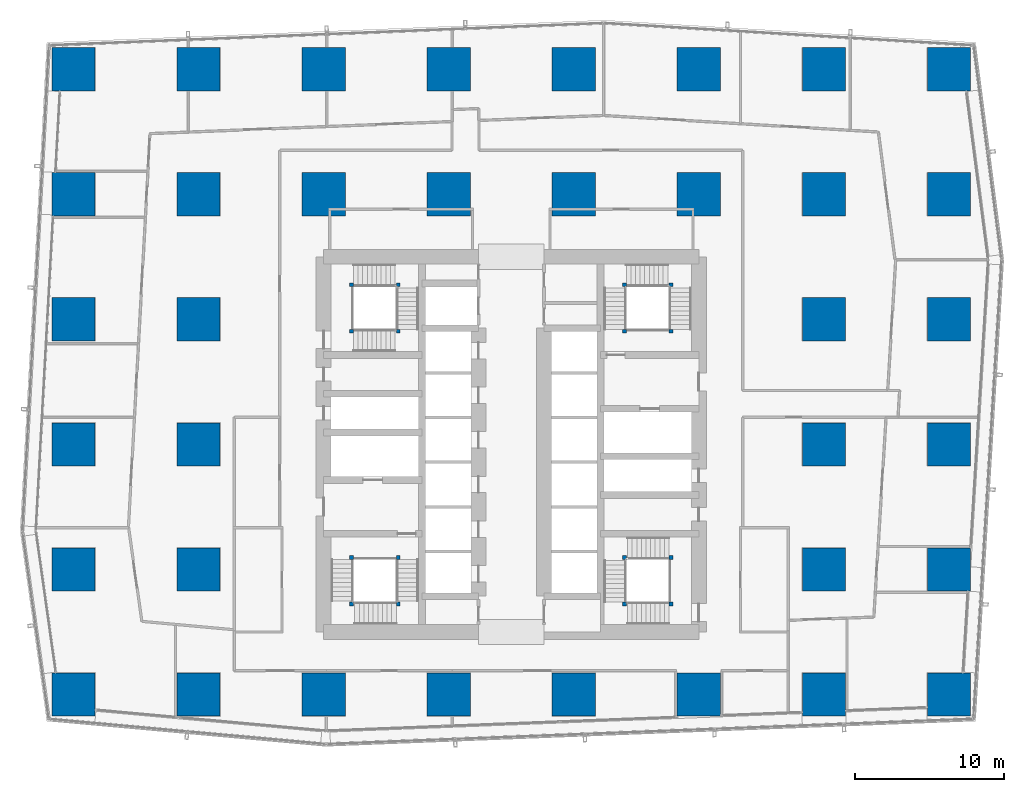
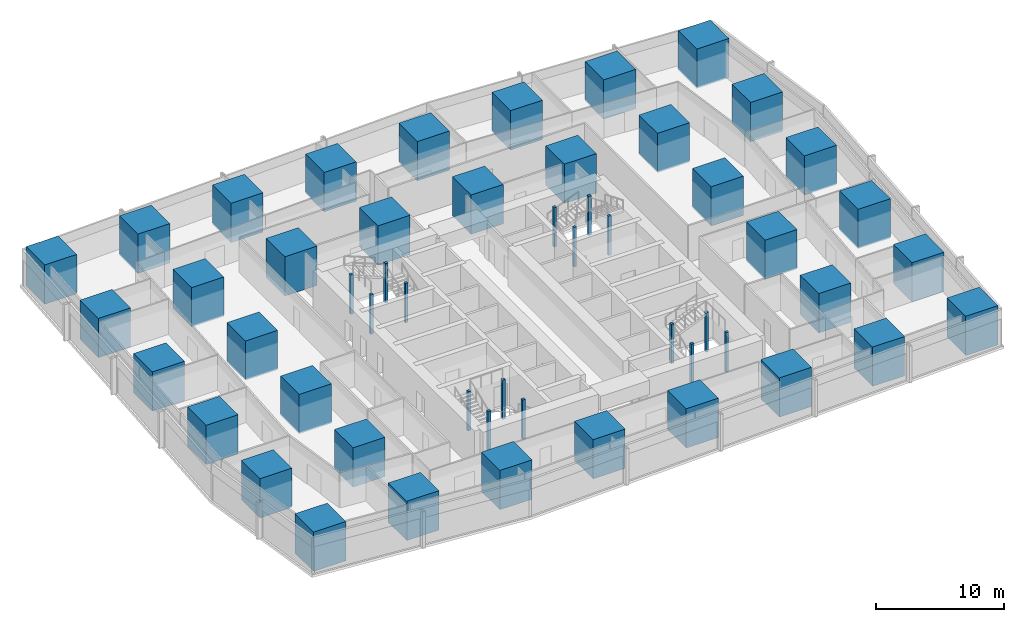
# One storey, part 1 of 40: 52 columns.
"""IFC4 building model written with IfcOpenShell, lengths in metres."""

from ifc_helpers import new_model, si_unit, direction, frame, origin, origin_2d, place, context, subcontext, project, spatial, rectangle, extrude, material, material_profile, profile_set, type_object, element, save


model = new_model("IFC4")

# Units and contexts
model_context = context("Model", 3, precision=1e-05, world=origin(), true_north=direction((0.0, 1.0)))
body_context = subcontext(model_context, "Body", "Model", "MODEL_VIEW")
ifc_project = project(units=[si_unit("LENGTHUNIT", "METRE"), si_unit("AREAUNIT", "SQUARE_METRE"), si_unit("VOLUMEUNIT", "CUBIC_METRE"), si_unit("PLANEANGLEUNIT", "RADIAN"), si_unit("MASSUNIT", "GRAM", prefix="KILO")], contexts=[model_context])

# Site, building, storey
site_placement = place(None, origin())
site = spatial("IfcSite", under=ifc_project, at=site_placement, CompositionType="ELEMENT")
building_placement = place(site_placement, origin())
building = spatial("IfcBuilding", under=site, at=building_placement, Name="Rekha Terrace Tower", CompositionType="ELEMENT")
storey_placement = place(building_placement, frame((0.0, 0.0, 95.300048828125)))
storey = spatial("IfcBuildingStorey", under=building, at=storey_placement, Name="L23", CompositionType="ELEMENT", Elevation=95.300048828125)

# Columns
ifc_material_1 = material(Name="Concrete M70", Category="concrete")
ifc_material_profile_1 = material_profile(ifc_material_1, rectangle(XDim=2.89990234375, YDim=2.89990234375, at=origin_2d()), Name="RC 2900x2900")
ifc_profile_set_1 = profile_set([ifc_material_profile_1], Name="Concrete M70")
column_type_1 = type_object("IfcColumnType", Name="C3B 2900x2900 column", PredefinedType="COLUMN", material=ifc_profile_set_1)
for number, where, z_axis, x_axis, name in (
    (1, (8.39990234375, 16.800048828125, 0.0), (0.0, 0.0, 1.0), (1.0, 0.0, 0.0), "Column C3B 2/C L23"),
    (2, (8.39990234375, 25.199951171875, 0.0), (0.0, 0.0, 1.0), (1.0, 0.0, 0.0), "Column C3B 2/D L23"),
    (3, (8.39990234375, 33.60009765625, 0.0), (0.0, 0.0, 1.0), (1.0, 0.0, 0.0), "Column C3B 2/E L23"),
    (4, (8.39990234375, 42.0, 0.0), (0.0, 0.0, 1.0), (1.0, 0.0, 0.0), "Column C3B 2/F L23"),
    (5, (8.39990234375, 50.39990234375, 0.0), (0.0, 0.0, 1.0), (1.0, 0.0, 0.0), "Column C3B 2/G L23"),
    (6, (8.39990234375, 58.800048828125, 0.0), (0.0, 0.0, 1.0), (1.0, 0.0, 0.0), "Column C3B 2/H L23"),
    (7, (16.800048828125, 16.800048828125, 0.0), (0.0, 0.0, 1.0), (1.0, 0.0, 0.0), "Column C3B 3/C L23"),
    (8, (16.800048828125, 25.199951171875, 0.0), (0.0, 0.0, 1.0), (1.0, 0.0, 0.0), "Column C3B 3/D L23"),
    (9, (16.800048828125, 33.60009765625, 0.0), (0.0, 0.0, 1.0), (1.0, 0.0, 0.0), "Column C3B 3/E L23"),
    (10, (16.800048828125, 42.0, 0.0), (0.0, 0.0, 1.0), (1.0, 0.0, 0.0), "Column C3B 3/F L23"),
    (11, (16.800048828125, 50.39990234375, 0.0), (0.0, 0.0, 1.0), (1.0, 0.0, 0.0), "Column C3B 3/G L23"),
    (12, (16.800048828125, 58.800048828125, 0.0), (0.0, 0.0, 1.0), (1.0, 0.0, 0.0), "Column C3B 3/H L23"),
    (13, (25.199951171875, 16.800048828125, 0.0), (0.0, 0.0, 1.0), (1.0, 0.0, 0.0), "Column C3B 4/C L23"),
    (14, (25.199951171875, 50.39990234375, 0.0), (0.0, 0.0, 1.0), (1.0, 0.0, 0.0), "Column C3B 4/G L23"),
    (15, (25.199951171875, 58.800048828125, 0.0), (0.0, 0.0, 1.0), (1.0, 0.0, 0.0), "Column C3B 4/H L23"),
    (16, (33.60009765625, 16.800048828125, 0.0), (0.0, 0.0, 1.0), (1.0, 0.0, 0.0), "Column C3B 5/C L23"),
    (17, (33.60009765625, 50.39990234375, 0.0), (0.0, 0.0, 1.0), (1.0, 0.0, 0.0), "Column C3B 5/G L23"),
    (18, (33.60009765625, 58.800048828125, 0.0), (0.0, 0.0, 1.0), (1.0, 0.0, 0.0), "Column C3B 5/H L23"),
    (19, (42.0, 16.800048828125, 0.0), (0.0, 0.0, 1.0), (1.0, 0.0, 0.0), "Column C3B 6/C L23"),
    (20, (42.0, 50.39990234375, 0.0), (0.0, 0.0, 1.0), (1.0, 0.0, 0.0), "Column C3B 6/G L23"),
    (21, (42.0, 58.800048828125, 0.0), (0.0, 0.0, 1.0), (1.0, 0.0, 0.0), "Column C3B 6/H L23"),
    (22, (50.39990234375, 16.800048828125, 0.0), (0.0, 0.0, 1.0), (1.0, 0.0, 0.0), "Column C3B 7/C L23"),
    (23, (50.39990234375, 50.39990234375, 0.0), (0.0, 0.0, 1.0), (1.0, 0.0, 0.0), "Column C3B 7/G L23"),
    (24, (50.39990234375, 58.800048828125, 0.0), (0.0, 0.0, 1.0), (1.0, 0.0, 0.0), "Column C3B 7/H L23"),
    (25, (58.800048828125, 16.800048828125, 0.0), (0.0, 0.0, 1.0), (1.0, 0.0, 0.0), "Column C3B 8/C L23"),
    (26, (58.800048828125, 25.199951171875, 0.0), (0.0, 0.0, 1.0), (1.0, 0.0, 0.0), "Column C3B 8/D L23"),
    (27, (58.800048828125, 33.60009765625, 0.0), (0.0, 0.0, 1.0), (1.0, 0.0, 0.0), "Column C3B 8/E L23"),
    (28, (58.800048828125, 42.0, 0.0), (0.0, 0.0, 1.0), (1.0, 0.0, 0.0), "Column C3B 8/F L23"),
    (29, (58.800048828125, 50.39990234375, 0.0), (0.0, 0.0, 1.0), (1.0, 0.0, 0.0), "Column C3B 8/G L23"),
    (30, (58.800048828125, 58.800048828125, 0.0), (0.0, 0.0, 1.0), (1.0, 0.0, 0.0), "Column C3B 8/H L23"),
    (31, (67.199951171875, 16.800048828125, 0.0), (0.0, 0.0, 1.0), (1.0, 0.0, 0.0), "Column C3B 9/C L23"),
    (32, (67.199951171875, 25.199951171875, 0.0), (0.0, 0.0, 1.0), (1.0, 0.0, 0.0), "Column C3B 9/D L23"),
    (33, (67.199951171875, 33.60009765625, 0.0), (0.0, 0.0, 1.0), (1.0, 0.0, 0.0), "Column C3B 9/E L23"),
    (34, (67.199951171875, 42.0, 0.0), (0.0, 0.0, 1.0), (1.0, 0.0, 0.0), "Column C3B 9/F L23"),
    (35, (67.199951171875, 50.39990234375, 0.0), (0.0, 0.0, 1.0), (1.0, 0.0, 0.0), "Column C3B 9/G L23"),
    (36, (67.199951171875, 58.800048828125, 0.0), (0.0, 0.0, 1.0), (1.0, 0.0, 0.0), "Column C3B 9/H L23"),
):
    element("IfcColumn", number, at=place(storey_placement, frame(where, z_axis=z_axis, x_axis=x_axis)), inside=storey, type_object=column_type_1, Name=name, PredefinedType="COLUMN", context=body_context, shape_type="SweptSolid", body=[
        extrude(rectangle(XDim=2.89990234375, YDim=2.89990234375, at=origin_2d()), origin(), (0.0, 0.0, 1.0), 3.75),
    ])
ifc_material_2 = material(Name="Concrete M60", Category="concrete")
ifc_material_profile_2 = material_profile(ifc_material_2, rectangle(XDim=0.25, YDim=0.25, at=origin_2d()), Name="RC 250x250")
ifc_profile_set_2 = profile_set([ifc_material_profile_2], Name="Concrete M60")
column_type_2 = type_object("IfcColumnType", Name="NP1 250x250 stair newel post", PredefinedType="COLUMN", material=ifc_profile_set_2)
for number, where, z_axis, x_axis, name in (
    (37, (30.199951171875, 26.0, 0.0), (0.0, 0.0, 1.0), (1.0, 0.0, 0.0), "Stair newel post NP1"),
    (38, (30.199951171875, 22.875, 0.0), (0.0, 0.0, 1.0), (1.0, 0.0, 0.0), "Stair newel post NP1"),
    (39, (27.074951171875, 22.875, 0.0), (0.0, 0.0, 1.0), (1.0, 0.0, 0.0), "Stair newel post NP1"),
    (40, (27.074951171875, 26.0, 0.0), (0.0, 0.0, 1.0), (1.0, 0.0, 0.0), "Stair newel post NP1"),
    (41, (45.39990234375, 41.199951171875, 0.0), (0.0, 0.0, 1.0), (1.0, 0.0, 0.0), "Stair newel post NP1"),
    (42, (45.39990234375, 44.324951171875, 0.0), (0.0, 0.0, 1.0), (1.0, 0.0, 0.0), "Stair newel post NP1"),
    (43, (48.52490234375, 44.324951171875, 0.0), (0.0, 0.0, 1.0), (1.0, 0.0, 0.0), "Stair newel post NP1"),
    (44, (48.52490234375, 41.199951171875, 0.0), (0.0, 0.0, 1.0), (1.0, 0.0, 0.0), "Stair newel post NP1"),
    (45, (48.52490234375, 22.875, 0.0), (0.0, 0.0, 1.0), (1.0, 0.0, 0.0), "Stair newel post NP1"),
    (46, (45.39990234375, 22.875, 0.0), (0.0, 0.0, 1.0), (1.0, 0.0, 0.0), "Stair newel post NP1"),
    (47, (45.39990234375, 26.0, 0.0), (0.0, 0.0, 1.0), (1.0, 0.0, 0.0), "Stair newel post NP1"),
    (48, (48.52490234375, 26.0, 0.0), (0.0, 0.0, 1.0), (1.0, 0.0, 0.0), "Stair newel post NP1"),
    (49, (27.074951171875, 41.199951171875, 0.0), (0.0, 0.0, 1.0), (1.0, 0.0, 0.0), "Stair newel post NP1"),
    (50, (30.199951171875, 41.199951171875, 0.0), (0.0, 0.0, 1.0), (1.0, 0.0, 0.0), "Stair newel post NP1"),
    (51, (30.199951171875, 44.324951171875, 0.0), (0.0, 0.0, 1.0), (1.0, 0.0, 0.0), "Stair newel post NP1"),
    (52, (27.074951171875, 44.324951171875, 0.0), (0.0, 0.0, 1.0), (1.0, 0.0, 0.0), "Stair newel post NP1"),
):
    element("IfcColumn", number, at=place(storey_placement, frame(where, z_axis=z_axis, x_axis=x_axis)), inside=storey, type_object=column_type_2, Name=name, PredefinedType="COLUMN", context=body_context, shape_type="SweptSolid", body=[
        extrude(rectangle(XDim=0.25, YDim=0.25, at=origin_2d()), origin(), (0.0, 0.0, 1.0), 3.75),
    ])

save(model, "model.ifc")
